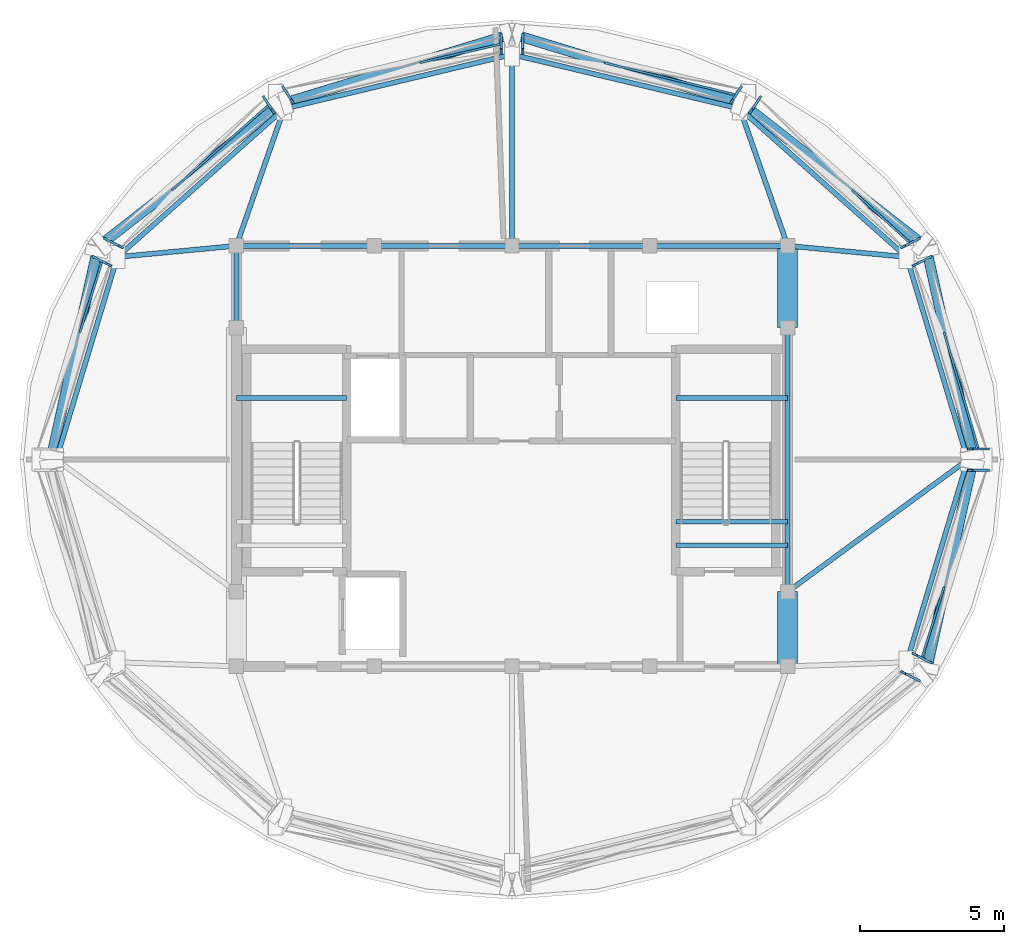
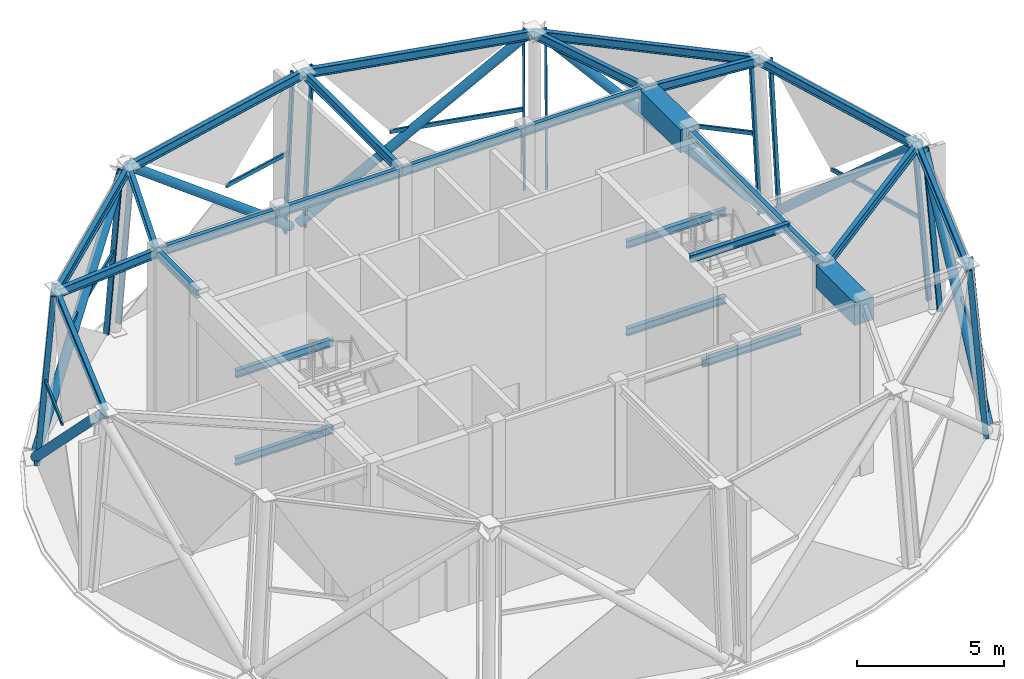
# One storey, part 2 of 9: 28 members, 27 beams, 8 elements without a shape of their own.
"""IFC4 building model written with IfcOpenShell, lengths in metres."""

from ifc_helpers import new_model, si_unit, direction, frame, origin, origin_2d, place, context, subcontext, project, spatial, rectangle, hollow_rectangle, hollow_circle, i_section, extrude, material, layer, layer_set, material_profile, profile_set, type_object, element, aggregate, save


model = new_model("IFC4")

# Units and contexts
model_context = context("Model", 3, precision=1e-05, world=origin(), true_north=direction((0.0, 1.0)))
body_context = subcontext(model_context, "Body", "Model", "MODEL_VIEW")
ifc_project = project(units=[si_unit("LENGTHUNIT", "METRE"), si_unit("AREAUNIT", "SQUARE_METRE"), si_unit("VOLUMEUNIT", "CUBIC_METRE"), si_unit("PLANEANGLEUNIT", "RADIAN"), si_unit("MASSUNIT", "GRAM", prefix="KILO")], contexts=[model_context])

# Site, building, storey
site_placement = place(None, origin())
site = spatial("IfcSite", under=ifc_project, at=site_placement, CompositionType="ELEMENT")
building_placement = place(site_placement, origin())
building = spatial("IfcBuilding", under=site, at=building_placement, Name="Vantalir Tower", CompositionType="ELEMENT")
storey_placement = place(building_placement, frame((0.0, 0.0, 311.75)))
storey = spatial("IfcBuildingStorey", under=building, at=storey_placement, Name="L77", CompositionType="ELEMENT", Elevation=311.75)

# Beams
ifc_material_1 = material(Name="Concrete C60/75", Category="concrete")
ifc_material_profile_1 = material_profile(ifc_material_1, rectangle(XDim=0.699951171875, YDim=0.949951171875, at=origin_2d()), Name="Concrete C60/75")
ifc_profile_set_1 = profile_set([ifc_material_profile_1], Name="Concrete C60/75")
beam_type_1 = type_object("IfcBeamType", Name="BM-CB-700x950", PredefinedType="USERDEFINED", material=ifc_profile_set_1)
beam_1_placement = place(storey_placement, frame((41.10009765625, 17.800048828125, 6.594970703125), z_axis=(0.0, 1.0, 0.0), x_axis=(-1.0, 0.0, 0.0)))
element("IfcBeam", 1, at=beam_1_placement, inside=storey, type_object=beam_type_1, Name="L77 Core Coupling Girder 05", ObjectType="GIRDER", PredefinedType="USERDEFINED", context=body_context, shape_type="SweptSolid", body=[
    extrude(rectangle(XDim=0.699951171875, YDim=0.949951171875, at=origin_2d()), origin(), (0.0, 0.0, 1.0), 2.599853515625),
])
beam_2_placement = place(storey_placement, frame((41.10009765625, 29.60009765625, 6.594970703125), z_axis=(0.0, 1.0, 0.0), x_axis=(-1.0, 0.0, 0.0)))
element("IfcBeam", 2, at=beam_2_placement, inside=storey, type_object=beam_type_1, Name="L77 Core Coupling Girder 07", ObjectType="GIRDER", PredefinedType="USERDEFINED", context=body_context, shape_type="SweptSolid", body=[
    extrude(rectangle(XDim=0.699951171875, YDim=0.949951171875, at=origin_2d()), origin(), (0.0, 0.0, 1.0), 2.849853515625),
])
ifc_material_2 = material(Name="Steel S355", Category="steel")
ifc_material_profile_2 = material_profile(ifc_material_2, i_section(OverallWidth=0.166015625, OverallDepth=0.306884765625, WebThickness=0.006591796875, FlangeThickness=0.01171875, at=origin_2d()), Name="Steel S355")
ifc_profile_set_2 = profile_set([ifc_material_profile_2], Name="Steel S355")
beam_type_2 = type_object("IfcBeamType", Name="BM-JS-305x165", PredefinedType="JOIST", material=ifc_profile_set_2)
for number, where, z_axis, x_axis, name in (
    (3, (21.89990234375, 27.14501953125, 1.458984375), (1.0, 0.0, 0.0), (0.0, 1.0, 0.0), "L77 Stair ST1 Half-Landing Support Beam"),
    (4, (21.89990234375, 27.14501953125, 5.083984375), (1.0, 0.0, 0.0), (0.0, 1.0, 0.0), "L77 Stair ST1 Half-Landing Support Beam"),
):
    element("IfcBeam", number, at=place(storey_placement, frame(where, z_axis=z_axis, x_axis=x_axis)), inside=storey, type_object=beam_type_2, Name=name, PredefinedType="JOIST", context=body_context, shape_type="SweptSolid", body=[
        extrude(i_section(OverallWidth=0.166015625, OverallDepth=0.306884765625, WebThickness=0.006591796875, FlangeThickness=0.01171875, at=origin_2d()), origin(), (0.0, 0.0, 1.0), 3.840087890625),
    ])
for number, where, z_axis, x_axis, name in (
    (5, (37.2099609375, 22.8349609375, 7.095947265625), (1.0, 0.0, 0.0), (0.0, 1.0, 0.0), "L78 Stair ST2 Well Nosing Trimmer Beam"),
    (6, (37.2099609375, 27.14501953125, 1.458984375), (1.0, 0.0, 0.0), (0.0, 1.0, 0.0), "L77 Stair ST2 Half-Landing Support Beam"),
    (7, (37.2099609375, 22.02001953125, 3.27197265625), (1.0, 0.0, 0.0), (0.0, 1.0, 0.0), "L77 Stair ST2 Half-Landing Support Beam"),
    (8, (37.2099609375, 27.14501953125, 5.083984375), (1.0, 0.0, 0.0), (0.0, 1.0, 0.0), "L77 Stair ST2 Half-Landing Support Beam"),
):
    element("IfcBeam", number, at=place(storey_placement, frame(where, z_axis=z_axis, x_axis=x_axis)), inside=storey, type_object=beam_type_2, Name=name, PredefinedType="JOIST", context=body_context, shape_type="SweptSolid", body=[
        extrude(i_section(OverallWidth=0.166015625, OverallDepth=0.306884765625, WebThickness=0.006591796875, FlangeThickness=0.01171875, at=origin_2d()), origin(), (0.0, 0.0, 1.0), 3.89013671875),
    ])
ifc_material_3 = material(Name="Steel S460", Category="steel")
ifc_material_profile_3 = material_profile(ifc_material_3, i_section(OverallWidth=0.172119140625, OverallDepth=0.35791015625, WebThickness=0.008056640625, FlangeThickness=0.012939453125, at=origin_2d()), Name="Steel S460")
ifc_profile_set_3 = profile_set([ifc_material_profile_3], Name="Steel S460")
beam_type_3 = type_object("IfcBeamType", Name="BM-RB-356x171", PredefinedType="BEAM", material=ifc_profile_set_3)
beam_3_placement = place(storey_placement, frame((41.10009765625, 20.39990234375, 6.89111328125), z_axis=(0.0, 1.0, 0.0), x_axis=(-1.0, 0.0, 0.0)))
element("IfcBeam", 9, at=beam_3_placement, inside=storey, type_object=beam_type_3, Name="L77 Core Coupling Girder 06", PredefinedType="BEAM", context=body_context, shape_type="SweptSolid", body=[
    extrude(i_section(OverallWidth=0.172119140625, OverallDepth=0.35791015625, WebThickness=0.008056640625, FlangeThickness=0.012939453125, at=origin_2d()), origin(), (0.0, 0.0, 1.0), 9.2001953125),
])
for number, where, z_axis, x_axis, name in (
    (10, (41.10009765625, 32.449951171875, 6.89111328125), (-1.0, 0.0, 0.0), (0.0, -1.0, 0.0), "L77 Core Coupling Girder 08"),
    (11, (36.300048828125, 32.449951171875, 6.89111328125), (-1.0, 0.0, 0.0), (0.0, -1.0, 0.0), "L77 Core Coupling Girder 09"),
    (12, (31.5, 32.449951171875, 6.89111328125), (-1.0, 0.0, 0.0), (0.0, -1.0, 0.0), "L77 Core Coupling Girder 10"),
    (13, (26.699951171875, 32.449951171875, 6.89111328125), (-1.0, 0.0, 0.0), (0.0, -1.0, 0.0), "L77 Core Coupling Girder 11"),
):
    element("IfcBeam", number, at=place(storey_placement, frame(where, z_axis=z_axis, x_axis=x_axis)), inside=storey, type_object=beam_type_3, Name=name, PredefinedType="BEAM", context=body_context, shape_type="SweptSolid", body=[
        extrude(i_section(OverallWidth=0.172119140625, OverallDepth=0.35791015625, WebThickness=0.008056640625, FlangeThickness=0.012939453125, at=origin_2d()), origin(), (0.0, 0.0, 1.0), 4.800048828125),
    ])
beam_4_placement = place(storey_placement, frame((21.89990234375, 32.449951171875, 6.89111328125), z_axis=(0.0, -1.0, 0.0), x_axis=(1.0, 0.0, 0.0)))
element("IfcBeam", 14, at=beam_4_placement, inside=storey, type_object=beam_type_3, Name="L77 Core Coupling Girder 12", PredefinedType="BEAM", context=body_context, shape_type="SweptSolid", body=[
    extrude(i_section(OverallWidth=0.172119140625, OverallDepth=0.35791015625, WebThickness=0.008056640625, FlangeThickness=0.012939453125, at=origin_2d()), origin(), (0.0, 0.0, 1.0), 2.849853515625),
])
beam_5_placement = place(storey_placement, frame((47.3759765625, 25.0, 6.89111328125), z_axis=(-0.288532657113, 0.957470054769, 0.0), x_axis=(-0.957470054769, -0.288532657113, 0.0)))
element("IfcBeam", 15, at=beam_5_placement, inside=storey, type_object=beam_type_3, Name="L77 Circumferential Ring Girder 01", PredefinedType="BEAM", context=body_context, shape_type="SweptSolid", body=[
    extrude(i_section(OverallWidth=0.172119140625, OverallDepth=0.35791015625, WebThickness=0.008056640625, FlangeThickness=0.012939453125, at=origin_2d()), origin(), (0.0, 0.0, 1.0), 7.37158203125),
])
beam_6_placement = place(storey_placement, frame((47.3759765625, 25.0, 6.89111328125), z_axis=(-0.80654063321, -0.591178659105, 0.0), x_axis=(0.591178659105, -0.80654063321, 0.0)))
element("IfcBeam", 16, at=beam_6_placement, inside=storey, type_object=beam_type_3, Name="L77 Radial Floor Beam 01", PredefinedType="BEAM", context=body_context, shape_type="SweptSolid", body=[
    extrude(i_section(OverallWidth=0.172119140625, OverallDepth=0.35791015625, WebThickness=0.008056640625, FlangeThickness=0.012939453125, at=origin_2d()), origin(), (0.0, 0.0, 1.0), 7.78125),
])
beam_7_placement = place(storey_placement, frame((45.2490234375, 32.05810546875, 6.89111328125), z_axis=(-0.747305375478, 0.664480756517, 0.0), x_axis=(-0.664480756517, -0.747305375478, 0.0)))
element("IfcBeam", 17, at=beam_7_placement, inside=storey, type_object=beam_type_3, Name="L77 Circumferential Ring Girder 02", PredefinedType="BEAM", context=body_context, shape_type="SweptSolid", body=[
    extrude(i_section(OverallWidth=0.172119140625, OverallDepth=0.35791015625, WebThickness=0.008056640625, FlangeThickness=0.012939453125, at=origin_2d()), origin(), (0.0, 0.0, 1.0), 7.77587890625),
])
beam_8_placement = place(storey_placement, frame((45.2490234375, 32.05810546875, 6.89111328125), z_axis=(-0.995569678216, 0.094026676094, 0.0), x_axis=(-0.094026676094, -0.995569678216, 0.0)))
element("IfcBeam", 18, at=beam_8_placement, inside=storey, type_object=beam_type_3, Name="L77 Radial Floor Beam 02", PredefinedType="BEAM", context=body_context, shape_type="SweptSolid", body=[
    extrude(i_section(OverallWidth=0.172119140625, OverallDepth=0.35791015625, WebThickness=0.008056640625, FlangeThickness=0.012939453125, at=origin_2d()), origin(), (0.0, 0.0, 1.0), 4.16748046875),
])
beam_9_placement = place(storey_placement, frame((39.43798828125, 37.22509765625, 6.89111328125), z_axis=(-0.972782133086, 0.231721646698, 0.0), x_axis=(-0.231721646698, -0.972782133086, 0.0)))
element("IfcBeam", 19, at=beam_9_placement, inside=storey, type_object=beam_type_3, Name="L77 Circumferential Ring Girder 03", PredefinedType="BEAM", context=body_context, shape_type="SweptSolid", body=[
    extrude(i_section(OverallWidth=0.172119140625, OverallDepth=0.35791015625, WebThickness=0.008056640625, FlangeThickness=0.012939453125, at=origin_2d()), origin(), (0.0, 0.0, 1.0), 8.16015625),
])
beam_10_placement = place(storey_placement, frame((39.43798828125, 37.22509765625, 6.89111328125), z_axis=(0.328730371418, -0.944423815301, 0.0), x_axis=(0.944423815301, 0.328730371418, 0.0)))
element("IfcBeam", 20, at=beam_10_placement, inside=storey, type_object=beam_type_3, Name="L77 Radial Floor Beam 03", PredefinedType="BEAM", context=body_context, shape_type="SweptSolid", body=[
    extrude(i_section(OverallWidth=0.172119140625, OverallDepth=0.35791015625, WebThickness=0.008056640625, FlangeThickness=0.012939453125, at=origin_2d()), origin(), (0.0, 0.0, 1.0), 5.05615234375),
])
beam_11_placement = place(storey_placement, frame((31.5, 39.115966796875, 6.89111328125), z_axis=(-0.972782133086, -0.231721646698, 0.0), x_axis=(0.231721646698, -0.972782133086, 0.0)))
element("IfcBeam", 21, at=beam_11_placement, inside=storey, type_object=beam_type_3, Name="L77 Circumferential Ring Girder 04", PredefinedType="BEAM", context=body_context, shape_type="SweptSolid", body=[
    extrude(i_section(OverallWidth=0.172119140625, OverallDepth=0.35791015625, WebThickness=0.008056640625, FlangeThickness=0.012939453125, at=origin_2d()), origin(), (0.0, 0.0, 1.0), 8.16015625),
])
beam_12_placement = place(storey_placement, frame((31.5, 39.115966796875, 6.89111328125), z_axis=(0.0, -1.0, 0.0), x_axis=(1.0, 0.0, 0.0)))
element("IfcBeam", 22, at=beam_12_placement, inside=storey, type_object=beam_type_3, Name="L77 Radial Floor Beam 04", PredefinedType="BEAM", context=body_context, shape_type="SweptSolid", body=[
    extrude(i_section(OverallWidth=0.172119140625, OverallDepth=0.35791015625, WebThickness=0.008056640625, FlangeThickness=0.012939453125, at=origin_2d()), origin(), (0.0, 0.0, 1.0), 6.666015625),
])
beam_13_placement = place(storey_placement, frame((23.56201171875, 37.22509765625, 6.89111328125), z_axis=(-0.747305375478, -0.664480756517, 0.0), x_axis=(0.664480756517, -0.747305375478, 0.0)))
element("IfcBeam", 23, at=beam_13_placement, inside=storey, type_object=beam_type_3, Name="L77 Circumferential Ring Girder 05", PredefinedType="BEAM", context=body_context, shape_type="SweptSolid", body=[
    extrude(i_section(OverallWidth=0.172119140625, OverallDepth=0.35791015625, WebThickness=0.008056640625, FlangeThickness=0.012939453125, at=origin_2d()), origin(), (0.0, 0.0, 1.0), 7.77587890625),
])
beam_14_placement = place(storey_placement, frame((23.56201171875, 37.22509765625, 6.89111328125), z_axis=(-0.328730371418, -0.944423815301, 0.0), x_axis=(0.944423815301, -0.328730371418, 0.0)))
element("IfcBeam", 24, at=beam_14_placement, inside=storey, type_object=beam_type_3, Name="L77 Radial Floor Beam 05", PredefinedType="BEAM", context=body_context, shape_type="SweptSolid", body=[
    extrude(i_section(OverallWidth=0.172119140625, OverallDepth=0.35791015625, WebThickness=0.008056640625, FlangeThickness=0.012939453125, at=origin_2d()), origin(), (0.0, 0.0, 1.0), 5.05615234375),
])
beam_15_placement = place(storey_placement, frame((17.7509765625, 32.05810546875, 6.89111328125), z_axis=(-0.288532657113, -0.957470054769, 0.0), x_axis=(0.957470054769, -0.288532657113, 0.0)))
element("IfcBeam", 25, at=beam_15_placement, inside=storey, type_object=beam_type_3, Name="L77 Circumferential Ring Girder 06", PredefinedType="BEAM", context=body_context, shape_type="SweptSolid", body=[
    extrude(i_section(OverallWidth=0.172119140625, OverallDepth=0.35791015625, WebThickness=0.008056640625, FlangeThickness=0.012939453125, at=origin_2d()), origin(), (0.0, 0.0, 1.0), 7.37158203125),
])
beam_16_placement = place(storey_placement, frame((17.7509765625, 32.05810546875, 6.89111328125), z_axis=(0.995569678216, 0.094026676094, 0.0), x_axis=(-0.094026676094, 0.995569678216, 0.0)))
element("IfcBeam", 26, at=beam_16_placement, inside=storey, type_object=beam_type_3, Name="L77 Radial Floor Beam 06", PredefinedType="BEAM", context=body_context, shape_type="SweptSolid", body=[
    extrude(i_section(OverallWidth=0.172119140625, OverallDepth=0.35791015625, WebThickness=0.008056640625, FlangeThickness=0.012939453125, at=origin_2d()), origin(), (0.0, 0.0, 1.0), 4.16748046875),
])
beam_17_placement = place(storey_placement, frame((45.2490234375, 17.94189453125, 6.89111328125), z_axis=(0.288532657113, 0.957470054769, 0.0), x_axis=(-0.957470054769, 0.288532657113, 0.0)))
element("IfcBeam", 27, at=beam_17_placement, inside=storey, type_object=beam_type_3, Name="L77 Circumferential Ring Girder 12", PredefinedType="BEAM", context=body_context, shape_type="SweptSolid", body=[
    extrude(i_section(OverallWidth=0.172119140625, OverallDepth=0.35791015625, WebThickness=0.008056640625, FlangeThickness=0.012939453125, at=origin_2d()), origin(), (0.0, 0.0, 1.0), 7.37158203125),
])

# Curtain wall, members
ifc_material_4 = material(Name="Champagne-silver PVDF aluminium and double-silver Low-E glass", Category="aluminium")
ifc_layer = layer(ifc_material_4, 0.25)
ifc_layer_set = layer_set([ifc_layer], Name="Champagne-silver PVDF aluminium and double-silver Low-E glass")
curtain_wall_type = type_object("IfcCurtainWallType", Name="CW-CROWN-PT", PredefinedType="USERDEFINED", material=ifc_layer_set)
curtain_wall_1_placement = place(storey_placement, origin())
curtain_wall_1 = element("IfcCurtainWall", 28, at=curtain_wall_1_placement, inside=storey, type_object=curtain_wall_type, Name="L77 Quilted Pyramid-Diamond Curtain Wall S01", ObjectType="UNITISED CURTAIN WALL", PredefinedType="USERDEFINED")
ifc_material_5 = material(Name="Champagne-silver PVDF aluminium 6063-T6", Category="aluminium")
ifc_material_profile_4 = material_profile(ifc_material_5, hollow_rectangle(XDim=0.080078125, YDim=0.199951171875, WallThickness=0.0048828125, at=origin_2d()), Name="Champagne-silver PVDF aluminium 6063-T6")
ifc_profile_set_4 = profile_set([ifc_material_profile_4], Name="Champagne-silver PVDF aluminium 6063-T6")
member_type_1 = type_object("IfcMemberType", Name="CWM-200x80", PredefinedType="MULLION", material=ifc_profile_set_4)
member_1_placement = place(storey_placement, frame((48.041015625, 25.373046875, 0.044921875), z_axis=(-0.083789655369, 0.0, 0.996483463813), x_axis=(0.0, -1.0, 0.0)))
member_1 = element("IfcMember", 29, at=member_1_placement, type_object=member_type_1, Name="CW-L77-S01 Mullion 1", PredefinedType="MULLION", context=body_context, shape_type="SweptSolid", body=[
    extrude(hollow_rectangle(XDim=0.080078125, YDim=0.199951171875, WallThickness=0.0048828125, at=origin_2d()), origin(), (0.0, 0.0, 1.0), 7.004638671875),
])
member_2_placement = place(storey_placement, frame((46.033935546875, 32.0419921875, 0.044921875), z_axis=(-0.072544830154, -0.037405383352, 0.996663476262), x_axis=(0.4582838613, -0.888805885709, 0.0)))
member_2 = element("IfcMember", 30, at=member_2_placement, type_object=member_type_1, Name="CW-L77-S01 Mullion 2", PredefinedType="MULLION", context=body_context, shape_type="SweptSolid", body=[
    extrude(hollow_rectangle(XDim=0.080078125, YDim=0.199951171875, WallThickness=0.0048828125, at=origin_2d()), origin(), (0.0, 0.0, 1.0), 7.00341796875),
])

curtain_wall_2_placement = place(storey_placement, origin())
curtain_wall_2 = element("IfcCurtainWall", 31, at=curtain_wall_2_placement, inside=storey, type_object=curtain_wall_type, Name="L77 Quilted Pyramid-Diamond Curtain Wall S02", ObjectType="UNITISED CURTAIN WALL", PredefinedType="USERDEFINED")
member_3_placement = place(storey_placement, frame((45.631103515625, 32.674072265625, 0.044921875), z_axis=(-0.072544830154, -0.037405383352, 0.996663476262), x_axis=(0.4582838613, -0.888805885709, 0.0)))
member_3 = element("IfcMember", 32, at=member_3_placement, type_object=member_type_1, Name="CW-L77-S02 Mullion 1", PredefinedType="MULLION", context=body_context, shape_type="SweptSolid", body=[
    extrude(hollow_rectangle(XDim=0.080078125, YDim=0.199951171875, WallThickness=0.0048828125, at=origin_2d()), origin(), (0.0, 0.0, 1.0), 7.00341796875),
])
member_4_placement = place(storey_placement, frame((40.117919921875, 37.583984375, 0.044921875), z_axis=(-0.041986729828, -0.064863220499, 0.997010469927), x_axis=(0.839473273036, -0.54340097889, 0.0)))
member_4 = element("IfcMember", 33, at=member_4_placement, type_object=member_type_1, Name="CW-L77-S02 Mullion 2", PredefinedType="MULLION", context=body_context, shape_type="SweptSolid", body=[
    extrude(hollow_rectangle(XDim=0.080078125, YDim=0.199951171875, WallThickness=0.0048828125, at=origin_2d()), origin(), (0.0, 0.0, 1.0), 7.0009765625),
])

curtain_wall_3_placement = place(storey_placement, origin())
curtain_wall_3 = element("IfcCurtainWall", 34, at=curtain_wall_3_placement, inside=storey, type_object=curtain_wall_type, Name="L77 Quilted Pyramid-Diamond Curtain Wall S03", ObjectType="UNITISED CURTAIN WALL", PredefinedType="USERDEFINED")
member_5_placement = place(storey_placement, frame((39.447998046875, 37.93408203125, 0.044921875), z_axis=(-0.041986729828, -0.064863220499, 0.997010469927), x_axis=(0.839473273036, -0.54340097889, 0.0)))
member_5 = element("IfcMember", 35, at=member_5_placement, type_object=member_type_1, Name="CW-L77-S03 Mullion 1", PredefinedType="MULLION", context=body_context, shape_type="SweptSolid", body=[
    extrude(hollow_rectangle(XDim=0.080078125, YDim=0.199951171875, WallThickness=0.0048828125, at=origin_2d()), origin(), (0.0, 0.0, 1.0), 7.0009765625),
])
member_6_placement = place(storey_placement, frame((31.87890625, 39.739013671875, 0.044921875), z_axis=(0.0, -0.074850645186, 0.99719475576), x_axis=(1.0, 0.0, 0.0)))
member_6 = element("IfcMember", 36, at=member_6_placement, type_object=member_type_1, Name="CW-L77-S03 Mullion 2", PredefinedType="MULLION", context=body_context, shape_type="SweptSolid", body=[
    extrude(hollow_rectangle(XDim=0.080078125, YDim=0.199951171875, WallThickness=0.0048828125, at=origin_2d()), origin(), (0.0, 0.0, 1.0), 6.99951171875),
])

curtain_wall_4_placement = place(storey_placement, origin())
curtain_wall_4 = element("IfcCurtainWall", 37, at=curtain_wall_4_placement, inside=storey, type_object=curtain_wall_type, Name="L77 Quilted Pyramid-Diamond Curtain Wall S04", ObjectType="UNITISED CURTAIN WALL", PredefinedType="USERDEFINED")
member_7_placement = place(storey_placement, frame((31.12109375, 39.739013671875, 0.044921875), z_axis=(0.0, -0.074850645186, 0.99719475576), x_axis=(1.0, 0.0, 0.0)))
member_7 = element("IfcMember", 38, at=member_7_placement, type_object=member_type_1, Name="CW-L77-S04 Mullion 1", PredefinedType="MULLION", context=body_context, shape_type="SweptSolid", body=[
    extrude(hollow_rectangle(XDim=0.080078125, YDim=0.199951171875, WallThickness=0.0048828125, at=origin_2d()), origin(), (0.0, 0.0, 1.0), 6.99951171875),
])
member_8_placement = place(storey_placement, frame((23.552978515625, 37.93408203125, 0.044921875), z_axis=(0.041847483716, -0.06486359976, 0.997016299532), x_axis=(0.840296648224, 0.542126869822, 0.0)))
member_8 = element("IfcMember", 39, at=member_8_placement, type_object=member_type_1, Name="CW-L77-S04 Mullion 2", PredefinedType="MULLION", context=body_context, shape_type="SweptSolid", body=[
    extrude(hollow_rectangle(XDim=0.080078125, YDim=0.199951171875, WallThickness=0.0048828125, at=origin_2d()), origin(), (0.0, 0.0, 1.0), 7.0009765625),
])

curtain_wall_5_placement = place(storey_placement, origin())
curtain_wall_5 = element("IfcCurtainWall", 40, at=curtain_wall_5_placement, inside=storey, type_object=curtain_wall_type, Name="L77 Quilted Pyramid-Diamond Curtain Wall S05", ObjectType="UNITISED CURTAIN WALL", PredefinedType="USERDEFINED")
member_9_placement = place(storey_placement, frame((22.883056640625, 37.583984375, 0.044921875), z_axis=(0.041847483716, -0.06486359976, 0.997016299532), x_axis=(0.840296648224, 0.542126869822, 0.0)))
member_9 = element("IfcMember", 41, at=member_9_placement, type_object=member_type_1, Name="CW-L77-S05 Mullion 1", PredefinedType="MULLION", context=body_context, shape_type="SweptSolid", body=[
    extrude(hollow_rectangle(XDim=0.080078125, YDim=0.199951171875, WallThickness=0.0048828125, at=origin_2d()), origin(), (0.0, 0.0, 1.0), 7.0009765625),
])
member_10_placement = place(storey_placement, frame((17.368896484375, 32.674072265625, 0.044921875), z_axis=(0.072544830154, -0.037405383352, 0.996663476262), x_axis=(0.4582838613, 0.888805885709, 0.0)))
member_10 = element("IfcMember", 42, at=member_10_placement, type_object=member_type_1, Name="CW-L77-S05 Mullion 2", PredefinedType="MULLION", context=body_context, shape_type="SweptSolid", body=[
    extrude(hollow_rectangle(XDim=0.080078125, YDim=0.199951171875, WallThickness=0.0048828125, at=origin_2d()), origin(), (0.0, 0.0, 1.0), 7.00341796875),
])

# Curtain wall, member
curtain_wall_6_placement = place(storey_placement, origin())
curtain_wall_6 = element("IfcCurtainWall", 43, at=curtain_wall_6_placement, inside=storey, type_object=curtain_wall_type, Name="L77 Quilted Pyramid-Diamond Curtain Wall S06", ObjectType="UNITISED CURTAIN WALL", PredefinedType="USERDEFINED")
member_11_placement = place(storey_placement, frame((16.966064453125, 32.0419921875, 0.044921875), z_axis=(0.072544830154, -0.037405383352, 0.996663476262), x_axis=(0.4582838613, 0.888805885709, 0.0)))
member_11 = element("IfcMember", 44, at=member_11_placement, type_object=member_type_1, Name="CW-L77-S06 Mullion 1", PredefinedType="MULLION", context=body_context, shape_type="SweptSolid", body=[
    extrude(hollow_rectangle(XDim=0.080078125, YDim=0.199951171875, WallThickness=0.0048828125, at=origin_2d()), origin(), (0.0, 0.0, 1.0), 7.00341796875),
])

curtain_wall_7_placement = place(storey_placement, origin())
curtain_wall_7 = element("IfcCurtainWall", 45, at=curtain_wall_7_placement, inside=storey, type_object=curtain_wall_type, Name="L77 Quilted Pyramid-Diamond Curtain Wall S11", ObjectType="UNITISED CURTAIN WALL", PredefinedType="USERDEFINED")
member_12_placement = place(storey_placement, frame((45.631103515625, 17.325927734375, 0.044921875), z_axis=(-0.072544830154, 0.037405383352, 0.996663476262), x_axis=(-0.4582838613, -0.888805885709, 0.0)))
member_12 = element("IfcMember", 46, at=member_12_placement, type_object=member_type_1, Name="CW-L77-S11 Mullion 2", PredefinedType="MULLION", context=body_context, shape_type="SweptSolid", body=[
    extrude(hollow_rectangle(XDim=0.080078125, YDim=0.199951171875, WallThickness=0.0048828125, at=origin_2d()), origin(), (0.0, 0.0, 1.0), 7.00341796875),
])
aggregate(curtain_wall_7, [member_12])

# Curtain wall, members
curtain_wall_8_placement = place(storey_placement, origin())
curtain_wall_8 = element("IfcCurtainWall", 47, at=curtain_wall_8_placement, inside=storey, type_object=curtain_wall_type, Name="L77 Quilted Pyramid-Diamond Curtain Wall S12", ObjectType="UNITISED CURTAIN WALL", PredefinedType="USERDEFINED")
member_13_placement = place(storey_placement, frame((46.033935546875, 17.9580078125, 0.044921875), z_axis=(-0.072544830154, 0.037405383352, 0.996663476262), x_axis=(-0.4582838613, -0.888805885709, 0.0)))
member_13 = element("IfcMember", 48, at=member_13_placement, type_object=member_type_1, Name="CW-L77-S12 Mullion 1", PredefinedType="MULLION", context=body_context, shape_type="SweptSolid", body=[
    extrude(hollow_rectangle(XDim=0.080078125, YDim=0.199951171875, WallThickness=0.0048828125, at=origin_2d()), origin(), (0.0, 0.0, 1.0), 7.00341796875),
])
member_14_placement = place(storey_placement, frame((48.041015625, 24.626953125, 0.044921875), z_axis=(-0.083789655369, 0.0, 0.996483463813), x_axis=(0.0, -1.0, 0.0)))
member_14 = element("IfcMember", 49, at=member_14_placement, type_object=member_type_1, Name="CW-L77-S12 Mullion 2", PredefinedType="MULLION", context=body_context, shape_type="SweptSolid", body=[
    extrude(hollow_rectangle(XDim=0.080078125, YDim=0.199951171875, WallThickness=0.0048828125, at=origin_2d()), origin(), (0.0, 0.0, 1.0), 7.004638671875),
])

# Member
ifc_material_profile_5 = material_profile(ifc_material_5, hollow_rectangle(XDim=0.074951171875, YDim=0.159912109375, WallThickness=0.00390625, at=origin_2d()), Name="Champagne-silver PVDF aluminium 6063-T6")
ifc_profile_set_5 = profile_set([ifc_material_profile_5], Name="Champagne-silver PVDF aluminium 6063-T6")
member_type_2 = type_object("IfcMemberType", Name="CWT-160x75", PredefinedType="USERDEFINED", material=ifc_profile_set_5)
member_15_placement = place(storey_placement, frame((47.7470703125, 25.373046875, 3.534912109375), z_axis=(-0.282581641047, 0.95924325181, 0.0), x_axis=(-0.95924325181, -0.282581641047, 0.0)))
member_15 = element("IfcMember", 50, at=member_15_placement, type_object=member_type_2, Name="CW-L77-S01 Pyramid Fold Ridge Transom", ObjectType="TRANSOM", PredefinedType="USERDEFINED", context=body_context, shape_type="SweptSolid", body=[
    extrude(hollow_rectangle(XDim=0.074951171875, YDim=0.159912109375, WallThickness=0.00390625, at=origin_2d()), origin(), (0.0, 0.0, 1.0), 4.232666015625),
])

aggregate(curtain_wall_1, [member_1, member_2, member_15])

member_16_placement = place(storey_placement, frame((45.376953125, 32.54296875, 3.534912109375), z_axis=(-0.74117350015, 0.671313520402, 0.0), x_axis=(-0.671313520402, -0.74117350015, 0.0)))
member_16 = element("IfcMember", 51, at=member_16_placement, type_object=member_type_2, Name="CW-L77-S02 Pyramid Fold Ridge Transom", ObjectType="TRANSOM", PredefinedType="USERDEFINED", context=body_context, shape_type="SweptSolid", body=[
    extrude(hollow_rectangle(XDim=0.074951171875, YDim=0.159912109375, WallThickness=0.00390625, at=origin_2d()), origin(), (0.0, 0.0, 1.0), 2.746826171875),
])

aggregate(curtain_wall_2, [member_3, member_4, member_16])

member_17_placement = place(storey_placement, frame((39.301025390625, 37.70703125, 3.534912109375), z_axis=(-0.971525844177, 0.236933606938, 0.0), x_axis=(-0.236933606938, -0.971525844177, 0.0)))
member_17 = element("IfcMember", 52, at=member_17_placement, type_object=member_type_2, Name="CW-L77-S03 Pyramid Fold Ridge Transom", ObjectType="TRANSOM", PredefinedType="USERDEFINED", context=body_context, shape_type="SweptSolid", body=[
    extrude(hollow_rectangle(XDim=0.074951171875, YDim=0.159912109375, WallThickness=0.00390625, at=origin_2d()), origin(), (0.0, 0.0, 1.0), 4.730712890625),
])

aggregate(curtain_wall_3, [member_5, member_6, member_17])

member_18_placement = place(storey_placement, frame((31.12109375, 39.47705078125, 3.534912109375), z_axis=(-0.974619149304, -0.223869412405, 0.0), x_axis=(0.223869412405, -0.974619149304, 0.0)))
member_18 = element("IfcMember", 53, at=member_18_placement, type_object=member_type_2, Name="CW-L77-S04 Pyramid Fold Ridge Transom", ObjectType="TRANSOM", PredefinedType="USERDEFINED", context=body_context, shape_type="SweptSolid", body=[
    extrude(hollow_rectangle(XDim=0.074951171875, YDim=0.159912109375, WallThickness=0.00390625, at=origin_2d()), origin(), (0.0, 0.0, 1.0), 2.899658203125),
])

aggregate(curtain_wall_4, [member_7, member_8, member_18])

member_19_placement = place(storey_placement, frame((23.029052734375, 37.35693359375, 3.534912109375), z_axis=(-0.750242165261, -0.661163136801, 0.0), x_axis=(0.661163136801, -0.750242165261, 0.0)))
member_19 = element("IfcMember", 54, at=member_19_placement, type_object=member_type_2, Name="CW-L77-S05 Pyramid Fold Ridge Transom", ObjectType="TRANSOM", PredefinedType="USERDEFINED", context=body_context, shape_type="SweptSolid", body=[
    extrude(hollow_rectangle(XDim=0.074951171875, YDim=0.159912109375, WallThickness=0.00390625, at=origin_2d()), origin(), (0.0, 0.0, 1.0), 4.491943359375),
])

aggregate(curtain_wall_5, [member_9, member_10, member_19])

member_20_placement = place(storey_placement, frame((17.219970703125, 31.910888671875, 3.534912109375), z_axis=(-0.297112301516, -0.954842542144, 0.0), x_axis=(0.954842542144, -0.297112301516, 0.0)))
member_20 = element("IfcMember", 55, at=member_20_placement, type_object=member_type_2, Name="CW-L77-S06 Pyramid Fold Ridge Transom", ObjectType="TRANSOM", PredefinedType="USERDEFINED", context=body_context, shape_type="SweptSolid", body=[
    extrude(hollow_rectangle(XDim=0.074951171875, YDim=0.159912109375, WallThickness=0.00390625, at=origin_2d()), origin(), (0.0, 0.0, 1.0), 2.594970703125),
])

aggregate(curtain_wall_6, [member_11, member_20])

member_21_placement = place(storey_placement, frame((45.780029296875, 18.089111328125, 3.534912109375), z_axis=(0.297112301516, 0.954842542144, 0.0), x_axis=(-0.954842542144, 0.297112301516, 0.0)))
member_21 = element("IfcMember", 56, at=member_21_placement, type_object=member_type_2, Name="CW-L77-S12 Pyramid Fold Ridge Transom", ObjectType="TRANSOM", PredefinedType="USERDEFINED", context=body_context, shape_type="SweptSolid", body=[
    extrude(hollow_rectangle(XDim=0.074951171875, YDim=0.159912109375, WallThickness=0.00390625, at=origin_2d()), origin(), (0.0, 0.0, 1.0), 2.594970703125),
])

aggregate(curtain_wall_8, [member_13, member_14, member_21])

# Members
ifc_material_profile_6 = material_profile(ifc_material_3, hollow_circle(Radius=0.177490234375, WallThickness=0.02001953125, at=origin_2d()), Name="Steel S460")
ifc_profile_set_6 = profile_set([ifc_material_profile_6], Name="Steel S460")
member_type_3 = type_object("IfcMemberType", Name="MEM-DB-355x20", PredefinedType="BRACE", material=ifc_profile_set_6)
member_22_placement = place(storey_placement, frame((45.7900390625, 32.51806640625, 0.222900390625), z_axis=(-0.600243777884, 0.467241738612, 0.649147567823), x_axis=(-0.614256309615, -0.789106574613, 0.0)))
element("IfcMember", 57, at=member_22_placement, inside=storey, type_object=member_type_3, Name="L77 CROWN FRAME Diagrid Brace R04L", PredefinedType="BRACE", context=body_context, shape_type="SweptSolid", body=[
    extrude(hollow_circle(Radius=0.177490234375, WallThickness=0.02001953125, at=origin_2d()), origin(), (0.0, 0.0, 1.0), 10.2041015625),
])
member_23_placement = place(storey_placement, frame((45.95703125, 32.256103515625, 0.22802734375), z_axis=(0.160149770251, -0.722127163208, 0.672966872324), x_axis=(0.976279425597, 0.2165143948, 0.0)))
element("IfcMember", 58, at=member_23_placement, inside=storey, type_object=member_type_3, Name="L77 CROWN FRAME Diagrid Brace R04R", PredefinedType="BRACE", context=body_context, shape_type="SweptSolid", body=[
    extrude(hollow_circle(Radius=0.177490234375, WallThickness=0.02001953125, at=origin_2d()), origin(), (0.0, 0.0, 1.0), 9.828125),
])
for number, where, z_axis, x_axis, name in (
    (59, (31.3369140625, 39.781005859375, 0.219970703125), (-0.738719554626, -0.224578420101, 0.635498192631), (0.29086612486, -0.956763762592, 0.0), "L77 CROWN FRAME Diagrid Brace R10L"),
    (60, (31.6630859375, 39.781005859375, 0.219970703125), (0.738719554626, -0.224578420101, 0.635498192631), (0.29086612486, 0.956763762592, 0.0), "L77 CROWN FRAME Diagrid Brace R10R"),
):
    element("IfcMember", number, at=place(storey_placement, frame(where, z_axis=z_axis, x_axis=x_axis)), inside=storey, type_object=member_type_3, Name=name, PredefinedType="BRACE", context=body_context, shape_type="SweptSolid", body=[
        extrude(hollow_circle(Radius=0.177490234375, WallThickness=0.02001953125, at=origin_2d()), origin(), (0.0, 0.0, 1.0), 10.432861328125),
    ])
member_24_placement = place(storey_placement, frame((17.04296875, 32.256103515625, 0.22802734375), z_axis=(-0.160149770251, -0.722127163208, 0.672966872324), x_axis=(0.976279425597, -0.2165143948, 0.0)))
element("IfcMember", 61, at=member_24_placement, inside=storey, type_object=member_type_3, Name="L77 CROWN FRAME Diagrid Brace R16L", PredefinedType="BRACE", context=body_context, shape_type="SweptSolid", body=[
    extrude(hollow_circle(Radius=0.177490234375, WallThickness=0.02001953125, at=origin_2d()), origin(), (0.0, 0.0, 1.0), 9.828125),
])
member_25_placement = place(storey_placement, frame((17.2099609375, 32.51806640625, 0.222900390625), z_axis=(0.600243777884, 0.467241738612, 0.649147567823), x_axis=(-0.614256309615, 0.789106574613, 0.0)))
element("IfcMember", 62, at=member_25_placement, inside=storey, type_object=member_type_3, Name="L77 CROWN FRAME Diagrid Brace R16R", PredefinedType="BRACE", context=body_context, shape_type="SweptSolid", body=[
    extrude(hollow_circle(Radius=0.177490234375, WallThickness=0.02001953125, at=origin_2d()), origin(), (0.0, 0.0, 1.0), 10.2041015625),
])
member_26_placement = place(storey_placement, frame((45.95703125, 17.743896484375, 0.22802734375), z_axis=(0.160149770251, 0.722127163208, 0.672966872324), x_axis=(-0.976279425597, 0.2165143948, 0.0)))
element("IfcMember", 63, at=member_26_placement, inside=storey, type_object=member_type_3, Name="L77 CROWN FRAME Diagrid Brace R34L", PredefinedType="BRACE", context=body_context, shape_type="SweptSolid", body=[
    extrude(hollow_circle(Radius=0.177490234375, WallThickness=0.02001953125, at=origin_2d()), origin(), (0.0, 0.0, 1.0), 9.828125),
])

save(model, "model.ifc")
